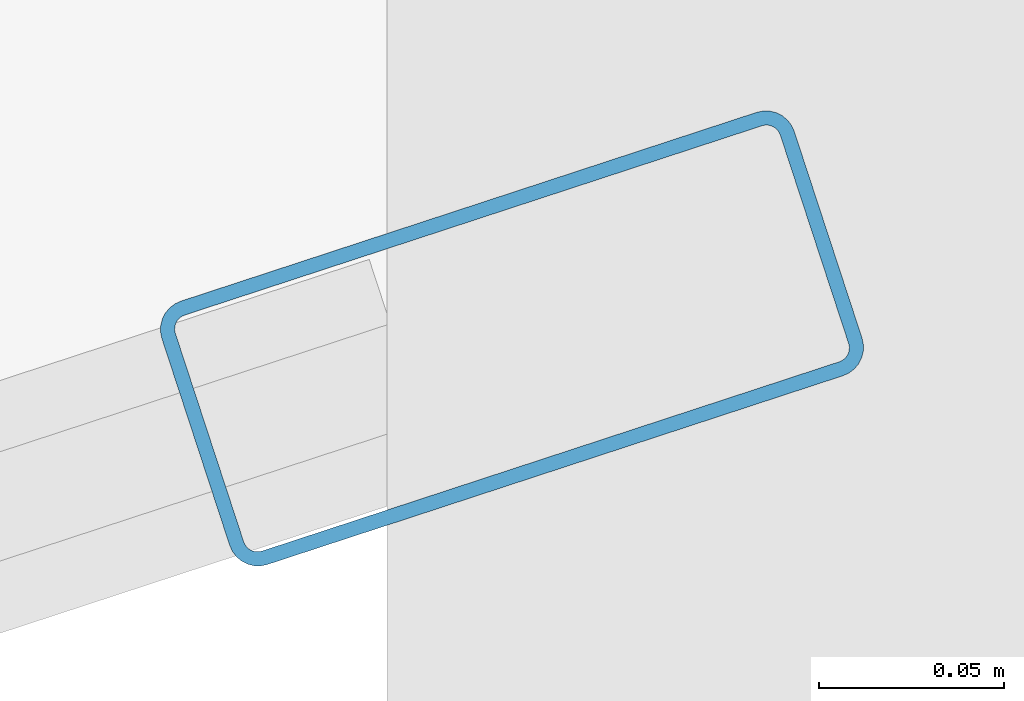
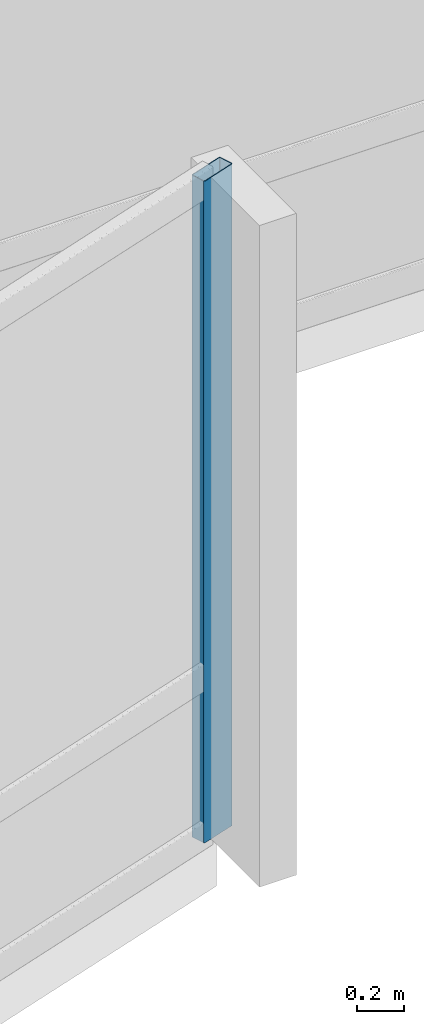
# One storey, part 10 of 34: 1 member, 1 element without a shape of its own.
"""IFC4 building model written with IfcOpenShell, lengths in metres."""

from ifc_helpers import new_model, si_unit, direction, frame, origin, origin_2d, place, context, subcontext, project, spatial, hollow_rectangle, extrude, material, layer, layer_set, material_profile, profile_set, type_object, element, aggregate, save


model = new_model("IFC4")

# Units and contexts
model_context = context("Model", 3, precision=1e-05, world=origin(), true_north=direction((0.0, 1.0)))
body_context = subcontext(model_context, "Body", "Model", "MODEL_VIEW")
ifc_project = project(units=[si_unit("LENGTHUNIT", "METRE"), si_unit("AREAUNIT", "SQUARE_METRE"), si_unit("VOLUMEUNIT", "CUBIC_METRE"), si_unit("PLANEANGLEUNIT", "RADIAN"), si_unit("MASSUNIT", "GRAM", prefix="KILO")], contexts=[model_context])

# Site, building, storey
site_placement = place(None, origin())
site = spatial("IfcSite", under=ifc_project, at=site_placement, CompositionType="ELEMENT")
building_placement = place(site_placement, origin())
building = spatial("IfcBuilding", under=site, at=building_placement, Name="Solvaryn Broadcast Tower", CompositionType="ELEMENT")
storey_placement = place(building_placement, frame((0.0, 0.0, 69.300048828125)))
storey = spatial("IfcBuildingStorey", under=building, at=storey_placement, Name="L16", CompositionType="ELEMENT", Elevation=69.300048828125)

# Curtain wall, member
ifc_material_1 = material(Name="Aluminium and Terracotta Unitised Curtain Wall", Category="masonry")
ifc_layer = layer(ifc_material_1, 0.199951171875)
ifc_layer_set = layer_set([ifc_layer], Name="CW-SYS2-LOWMID")
curtain_wall_type = type_object("IfcCurtainWallType", Name="CW-SYS2-LOWMID", PredefinedType="NOTDEFINED", material=ifc_layer_set)
curtain_wall_placement = place(storey_placement, origin())
curtain_wall = element("IfcCurtainWall", 1, at=curtain_wall_placement, inside=storey, type_object=curtain_wall_type, Name="L16 Curtain Wall DR4", PredefinedType="NOTDEFINED")
ifc_material_2 = material(Name="Anodised Aluminium 6063-T6", Category="aluminium")
ifc_material_profile = material_profile(ifc_material_2, hollow_rectangle(XDim=0.074951171875, YDim=0.179931640625, WallThickness=0.00390625, InnerFilletRadius=0.00390625, OuterFilletRadius=0.008056640625, at=origin_2d()))
ifc_profile_set = profile_set([ifc_material_profile], Name="Anodised Aluminium 6063-T6")
member_type = type_object("IfcMemberType", Name="CW-MUL-180", PredefinedType="MULLION", material=ifc_profile_set)
member_placement = place(storey_placement, frame((45.987548828125, 5.90673828125, 0.0), z_axis=(0.0, 0.0, 1.0), x_axis=(-0.311594044587, 0.950215318429, 0.0)))
member = element("IfcMember", 2, at=member_placement, type_object=member_type, Name="CWS2 mullion 2", PredefinedType="MULLION", context=body_context, shape_type="SweptSolid", body=[
    extrude(hollow_rectangle(XDim=0.074951171875, YDim=0.179931640625, WallThickness=0.00390625, InnerFilletRadius=0.00390625, OuterFilletRadius=0.008056640625, at=origin_2d()), origin(), (0.0, 0.0, 1.0), 3.419921875),
])
aggregate(curtain_wall, [member])

save(model, "model.ifc")
